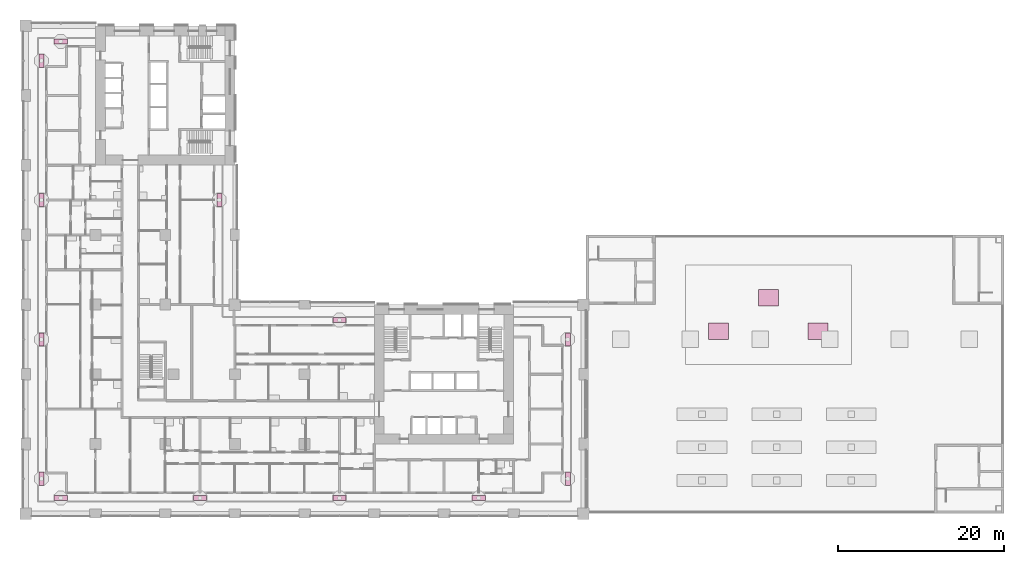
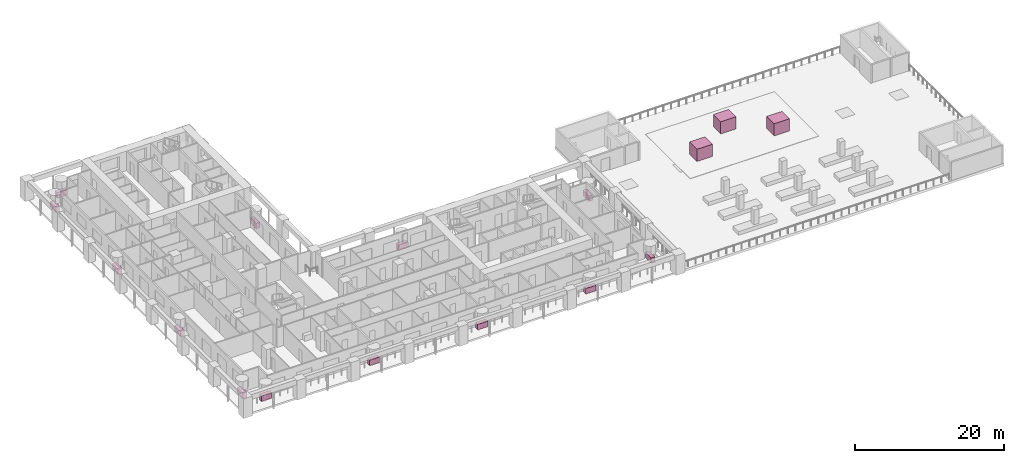
# One storey, part 22 of 23: 16 furniture elements.
"""IFC4 building model written with IfcOpenShell, lengths in metres."""

import ifcopenshell
import ifcopenshell.guid

model = None  # the IFC model being written
_history = None  # IfcOwnerHistory: only IFC2X3 demands one
_inside = {}  # id of a spatial element -> (the spatial element, [elements in it])
_under = {}  # id of a project, library or spatial element -> (it, [spatial elements below it])
_declared = {}  # id of a project -> (the project, [libraries it declares])
_typed = {}  # id of a type object -> (the type object, [elements of that type])
_made_of = {}  # id of a material, layer set ... -> (it, [elements and type objects made of it])


def new_model(schema):
    """Start an empty IFC model of exactly this schema.

    Asked for "IFC4X3", IfcOpenShell would pick the latest addendum, in which some entities
    have other attributes; the version numbers below select the first issue.
    IFC2X3 requires an IfcOwnerHistory on every rooted entity: one is made here for all.
    """
    global model, _history
    if schema == "IFC4X3":
        model = ifcopenshell.file(schema_version=(4, 3, 0, 0))
    else:
        model = ifcopenshell.file(schema=schema)
    _inside.clear()
    _under.clear()
    _declared.clear()
    _typed.clear()
    _made_of.clear()
    _history = None
    if model.schema == "IFC2X3":
        org = make("IfcOrganization", Name="unknown")
        user = make(
            "IfcPersonAndOrganization",
            ThePerson=make("IfcPerson", FamilyName="unknown"),
            TheOrganization=org,
        )
        app = make(
            "IfcApplication",
            ApplicationDeveloper=org,
            Version="unknown",
            ApplicationFullName="unknown",
            ApplicationIdentifier="unknown",
        )
        _history = make(
            "IfcOwnerHistory",
            OwningUser=user,
            OwningApplication=app,
            ChangeAction="ADDED",
            CreationDate=0,
        )
    return model


def make(cls, **values):
    """One entity of the class cls with the attributes given. An attribute that is None is left unset."""
    return model.create_entity(
        cls, **{name: value for name, value in values.items() if value is not None}
    )


def rooted(cls, **values):
    """An entity with a GlobalId (a new one), such as an element, a storey or a relation."""
    return make(cls, GlobalId=ifcopenshell.guid.new(), OwnerHistory=_history, **values)


def si_unit(unit_type, name, prefix=None):
    """IfcSIUnit, for example si_unit("LENGTHUNIT", "METRE", prefix="MILLI")."""
    return make("IfcSIUnit", UnitType=unit_type, Prefix=prefix, Name=name)


def assignment(units):
    """IfcUnitAssignment: the units of a project."""
    return None if units is None else make("IfcUnitAssignment", Units=units)


def point(xyz):
    """IfcCartesianPoint."""
    return None if xyz is None else make("IfcCartesianPoint", Coordinates=xyz)


def direction(xyz):
    """IfcDirection."""
    return None if xyz is None else make("IfcDirection", DirectionRatios=xyz)


def frame(location, z_axis=None, x_axis=None):
    """IfcAxis2Placement3D, a coordinate frame: its origin and axes. An axis left out is left unset."""
    return make(
        "IfcAxis2Placement3D",
        Location=point(location),
        Axis=direction(z_axis),
        RefDirection=direction(x_axis),
    )


def frame_2d(location, x_axis=None):
    """IfcAxis2Placement2D, a coordinate frame in the plane: its origin and x axis."""
    return make(
        "IfcAxis2Placement2D", Location=point(location), RefDirection=direction(x_axis)
    )


def origin():
    """The frame at (0, 0, 0) with its axes left unset."""
    return frame((0.0, 0.0, 0.0))


def origin_2d():
    """The frame at (0, 0) in the plane with its x axis left unset."""
    return frame_2d((0.0, 0.0))


def place(relative_to, where):
    """IfcLocalPlacement: puts the frame where relative to a parent placement (None: the world)."""
    return make(
        "IfcLocalPlacement", PlacementRelTo=relative_to, RelativePlacement=where
    )


def context(
    kind, dimensions, precision=None, world=None, true_north=None, identifier=None
):
    """IfcGeometricRepresentationContext, for example the 3D "Model" context."""
    return make(
        "IfcGeometricRepresentationContext",
        ContextIdentifier=identifier,
        ContextType=kind,
        CoordinateSpaceDimension=dimensions,
        Precision=precision,
        WorldCoordinateSystem=world,
        TrueNorth=true_north,
    )


def subcontext(parent, identifier, kind, view, scale=None):
    """IfcGeometricRepresentationSubContext, for example "Body" below "Model"."""
    return make(
        "IfcGeometricRepresentationSubContext",
        ContextIdentifier=identifier,
        ContextType=kind,
        ParentContext=parent,
        TargetScale=scale,
        TargetView=view,
    )


def project(units=None, contexts=None):
    """IfcProject with its units and contexts."""
    return rooted(
        "IfcProject",
        Name="project",
        RepresentationContexts=contexts,
        UnitsInContext=assignment(units),
    )


def spatial(cls, under=None, at=None, **own):
    """A site, building, storey or space (cls), placed at a placement, below another one or the project."""
    s = rooted(cls, ObjectPlacement=at, **own)
    if under is not None:
        _under.setdefault(under.id(), (under, []))[1].append(s)
    return s


def profile(cls, at=None, kind="AREA", **sizes):
    """A parametric profile (cls). Its sizes go by their IFC names, for example OverallWidth=200.0."""
    return make(cls, ProfileType=kind, Position=at, **sizes)


def rectangle(**sizes):
    """IfcRectangleProfileDef."""
    return profile("IfcRectangleProfileDef", **sizes)


def extrude(swept, where, along, depth):
    """IfcExtrudedAreaSolid: the profile swept, set in the frame where, extruded along a direction by depth."""
    return make(
        "IfcExtrudedAreaSolid",
        SweptArea=swept,
        Position=where,
        ExtrudedDirection=direction(along),
        Depth=depth,
    )


def shape(context_of_items, identifier, shape_type, items):
    """IfcShapeRepresentation: the items that make up one representation, for example the "Body"."""
    return make(
        "IfcShapeRepresentation",
        ContextOfItems=context_of_items,
        RepresentationIdentifier=identifier,
        RepresentationType=shape_type,
        Items=items,
    )


def material(Name=None, Category=None):
    """IfcMaterial."""
    return make("IfcMaterial", Name=Name, Category=Category)


def made_of(thing, what):
    """Note that an element or type object is made of a material, layer set ...; save() writes the relation."""
    if what is not None:
        _made_of.setdefault(what.id(), (what, []))[1].append(thing)
    return thing


def element(
    cls,
    number,
    at=None,
    inside=None,
    cuts=None,
    type_object=None,
    material=None,
    context=None,
    identifier="Body",
    shape_type=None,
    held_by="IfcProductDefinitionShape",
    body=None,
    shapes=None,
    **own,
):
    """One element of the class cls, such as IfcWall. Its Tag is "e" and its number.

    at: its placement. inside: the storey or other place that contains it. cuts: it is an
    opening in that element (IfcRelVoidsElement). A single representation is given by context,
    identifier, shape_type and body (its items); several are given by shapes. held_by: the class
    of the entity that holds the representations. save() writes the other relations.
    """
    e = rooted(cls, Tag="e%d" % number, ObjectPlacement=at, **own)
    if body is not None:
        shapes = [shape(context, identifier, shape_type, body)]
    if shapes is not None:
        e.Representation = make(held_by, Representations=shapes)
    if inside is not None:
        _inside.setdefault(inside.id(), (inside, []))[1].append(e)
    if cuts is not None:
        rooted(
            "IfcRelVoidsElement", RelatingBuildingElement=cuts, RelatedOpeningElement=e
        )
    if type_object is not None:
        _typed.setdefault(type_object.id(), (type_object, []))[1].append(e)
    return made_of(e, material)


def aggregate(whole, parts):
    """IfcRelAggregates: a whole, such as a stair, and the parts it consists of."""
    return rooted("IfcRelAggregates", RelatingObject=whole, RelatedObjects=parts)


def save(model, path):
    """Write the relations noted so far, then the file.

    IfcRelAggregates (storeys below a building ...), IfcRelContainedInSpatialStructure (elements
    in a storey), IfcRelDefinesByType, IfcRelAssociatesMaterial and IfcRelDeclares: one each for
    every whole, place, type object, material and project.
    """
    for whole, parts in _under.values():
        aggregate(whole, parts)
    for where, things in _inside.values():
        rooted(
            "IfcRelContainedInSpatialStructure",
            RelatedElements=things,
            RelatingStructure=where,
        )
    for kind, things in _typed.values():
        rooted("IfcRelDefinesByType", RelatedObjects=things, RelatingType=kind)
    for what, things in _made_of.values():
        rooted("IfcRelAssociatesMaterial", RelatedObjects=things, RelatingMaterial=what)
    for by, libraries in _declared.values():
        rooted("IfcRelDeclares", RelatingContext=by, RelatedDefinitions=libraries)
    model.write(path)


model = new_model("IFC4")

# Units and contexts
model_context = context("Model", 3, precision=1e-05, world=origin(), true_north=direction((0.0, 1.0)))
body_context = subcontext(model_context, "Body", "Model", "MODEL_VIEW")
ifc_project = project(units=[si_unit("LENGTHUNIT", "METRE"), si_unit("AREAUNIT", "SQUARE_METRE"), si_unit("VOLUMEUNIT", "CUBIC_METRE"), si_unit("PLANEANGLEUNIT", "RADIAN"), si_unit("MASSUNIT", "GRAM", prefix="KILO")], contexts=[model_context])

# Site, building, storey
site_placement = place(None, origin())
site = spatial("IfcSite", under=ifc_project, at=site_placement, CompositionType="ELEMENT")
building_placement = place(site_placement, origin())
building = spatial("IfcBuilding", under=site, at=building_placement, Name="Vermilion Gate Residences", CompositionType="ELEMENT")
storey_placement = place(building_placement, frame((0.0, 0.0, 25.199951171875)))
storey = spatial("IfcBuildingStorey", under=building, at=storey_placement, Name="L04", CompositionType="ELEMENT", Elevation=25.199951171875)

# Furniture
ifc_material_1 = material(Name="Terracotta planter", Category="masonry")
for number, where, z_axis, x_axis, name in (
    (1, (4.199951171875, 1.875, 0.0), (0.0, 0.0, 1.0), (1.0, 0.0, 0.0), "PLANTER"),
    (2, (21.0, 1.875, 0.0), (0.0, 0.0, 1.0), (1.0, 0.0, 0.0), "PLANTER"),
    (3, (37.800048828125, 1.875, 0.0), (0.0, 0.0, 1.0), (1.0, 0.0, 0.0), "PLANTER"),
    (4, (54.60009765625, 1.875, 0.0), (0.0, 0.0, 1.0), (1.0, 0.0, 0.0), "PLANTER"),
    (5, (65.324951171875, 4.199951171875, 0.0), (0.0, 0.0, 1.0), (0.0, 1.0, 0.0), "PLANTER"),
    (6, (65.324951171875, 21.0, 0.0), (0.0, 0.0, 1.0), (0.0, 1.0, 0.0), "PLANTER"),
    (7, (37.800048828125, 23.324951171875, 0.0), (0.0, 0.0, 1.0), (-1.0, 0.0, 0.0), "PLANTER"),
    (8, (23.324951171875, 37.800048828125, 0.0), (0.0, 0.0, 1.0), (0.0, 1.0, 0.0), "PLANTER"),
    (9, (4.199951171875, 56.925048828125, 0.0), (0.0, 0.0, 1.0), (-1.0, 0.0, 0.0), "PLANTER"),
    (10, (1.875, 4.199951171875, 0.0), (0.0, 0.0, 1.0), (0.0, -1.0, 0.0), "PLANTER"),
    (11, (1.875, 21.0, 0.0), (0.0, 0.0, 1.0), (0.0, -1.0, 0.0), "PLANTER"),
    (12, (1.875, 37.800048828125, 0.0), (0.0, 0.0, 1.0), (0.0, -1.0, 0.0), "PLANTER"),
    (13, (1.875, 54.60009765625, 0.0), (0.0, 0.0, 1.0), (0.0, -1.0, 0.0), "PLANTER"),
):
    element("IfcFurniture", number, at=place(storey_placement, frame(where, z_axis=z_axis, x_axis=x_axis)), inside=storey, material=ifc_material_1, Name=name, ObjectType="PLANTER", PredefinedType="USERDEFINED", context=body_context, shape_type="SweptSolid", body=[
        extrude(rectangle(XDim=1.60009765625, YDim=0.60009765625, at=origin_2d()), origin(), (0.0, 0.0, 1.0), 0.89990234375),
    ])
ifc_material_2 = material(Name="Timber", Category="wood")
for number, where, z_axis, x_axis, name in (
    (14, (83.5, 22.0, 0.050048828125), (0.0, 0.0, 1.0), (1.0, 0.0, 0.0), "Climbing frame"),
    (15, (89.5, 26.0, 0.050048828125), (0.0, 0.0, 1.0), (1.0, 0.0, 0.0), "Slide"),
    (16, (95.5, 22.0, 0.050048828125), (0.0, 0.0, 1.0), (1.0, 0.0, 0.0), "Swing frame"),
):
    element("IfcFurniture", number, at=place(storey_placement, frame(where, z_axis=z_axis, x_axis=x_axis)), inside=storey, material=ifc_material_2, Name=name, ObjectType="PLAY EQUIPMENT", PredefinedType="USERDEFINED", context=body_context, shape_type="SweptSolid", body=[
        extrude(rectangle(XDim=2.39990234375, YDim=2.0, at=origin_2d()), origin(), (0.0, 0.0, 1.0), 2.0),
    ])

save(model, "model.ifc")
